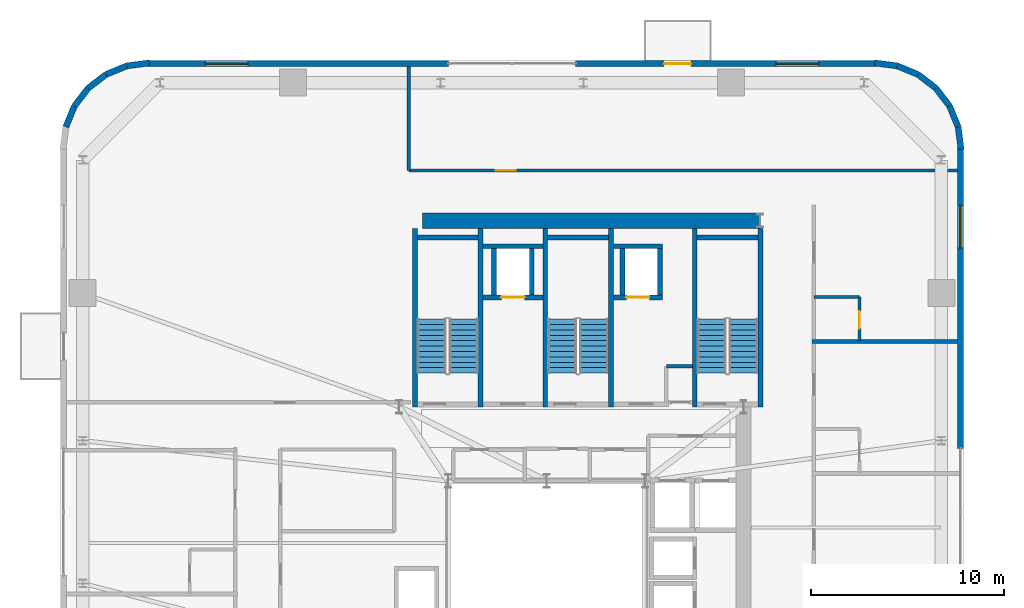
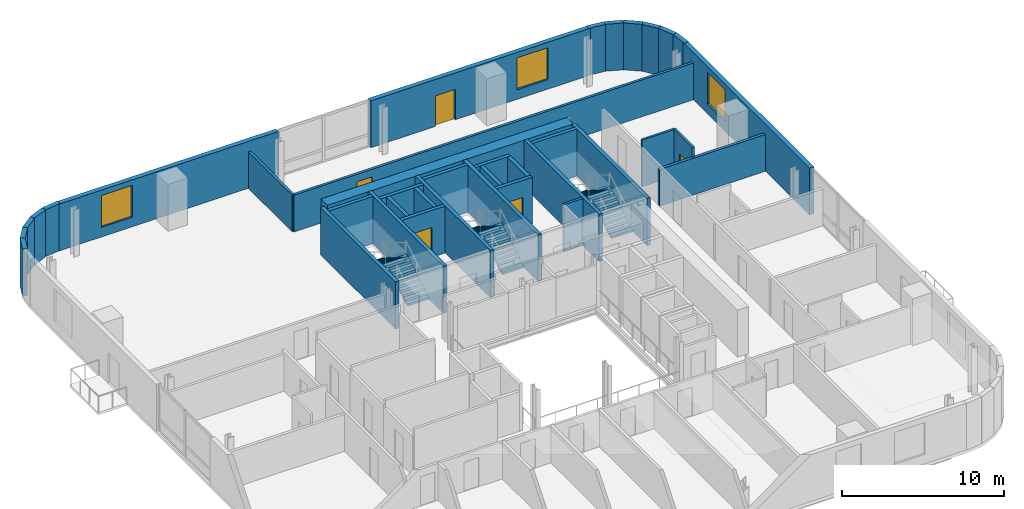
# One storey, part 11 of 16: 38 walls, 6 stair flights, 5 doors, 3 windows, 8 openings, 3 elements without a shape of their own.
"""IFC4 building model written with IfcOpenShell, lengths in metres."""

from ifc_helpers import new_model, si_unit, direction, frame, frame_2d, origin, place, context, subcontext, project, spatial, polyline, rectangle, outline, extrude, source, transform, mapped, material, layer, layer_set, type_object, element, fill, aggregate, save


model = new_model("IFC4")

# Units and contexts
model_context = context("Model", 3, precision=1e-05, world=origin(), true_north=direction((0.0, 1.0)))
body_context = subcontext(model_context, "Body", "Model", "MODEL_VIEW")
ifc_project = project(units=[si_unit("LENGTHUNIT", "METRE"), si_unit("AREAUNIT", "SQUARE_METRE"), si_unit("VOLUMEUNIT", "CUBIC_METRE"), si_unit("PLANEANGLEUNIT", "RADIAN"), si_unit("MASSUNIT", "GRAM", prefix="KILO")], contexts=[model_context])

# Site, building, storey
site_placement = place(None, origin())
site = spatial("IfcSite", under=ifc_project, at=site_placement, CompositionType="ELEMENT")
building_placement = place(site_placement, origin())
building = spatial("IfcBuilding", under=site, at=building_placement, Name="Vardaveli Station Tower", CompositionType="ELEMENT")
storey_placement = place(building_placement, frame((0.0, 0.0, 184.800048828125)))
storey = spatial("IfcBuildingStorey", under=building, at=storey_placement, Name="L47", CompositionType="ELEMENT", Elevation=184.800048828125)

# Wall
ifc_material_1 = material(Name="Concrete C50/60", Category="concrete")
ifc_layer_1 = layer(ifc_material_1, 0.800048828125, Name="Concrete C50/60")
ifc_layer_set_1 = layer_set([ifc_layer_1], Name="Concrete C50/60")
wall_type_1 = type_object("IfcWallType", Name="WAL-CORE-800", PredefinedType="SHEAR", material=ifc_layer_set_1)
shared_shape_1 = source(origin(), body_context, "Body", "SweptSolid", [
    extrude(rectangle(XDim=17.52001953125, YDim=0.800048828125, at=frame_2d((8.760009765625, 0.0))), origin(), (0.0, 0.0, 1.0), 3.530029296875),
])
wall_1_placement = place(storey_placement, frame((29.85009765625, 40.300048828125, 0.0), z_axis=(0.0, 0.0, 1.0), x_axis=(1.0, 0.0, 0.0)))
element("IfcWall", 1, at=wall_1_placement, inside=storey, type_object=wall_type_1, Name="SW-L47-NORTH", PredefinedType="SHEAR", context=body_context, shape_type="MappedRepresentation", body=[
    mapped(shared_shape_1, transform((0.0, 0.0, 0.0), scale=1.0)),
])

# Wall, openings, door, window
ifc_material_2 = material(Name="Precast concrete C45/55", Category="concrete")
ifc_layer_2 = layer(ifc_material_2, 0.320068359375, Name="Precast concrete C45/55")
ifc_layer_set_2 = layer_set([ifc_layer_2], Name="Precast concrete C45/55")
wall_type_2 = type_object("IfcWallType", Name="WAL-EXT-STONE-320", PredefinedType="SOLIDWALL", material=ifc_layer_set_2)
shared_shape_2 = source(origin(), body_context, "Body", "SweptSolid", [
    extrude(rectangle(XDim=15.599853515625, YDim=0.320068359375, at=frame_2d((7.7998046875, 0.0))), origin(), (0.0, 0.0, 1.0), 3.530029296875),
])
wall_2_placement = place(storey_placement, frame((53.39990234375, 48.43994140625, 0.0), z_axis=(0.0, 0.0, 1.0), x_axis=(-1.0, 0.0, 0.0)))
wall_2 = element("IfcWall", 2, at=wall_2_placement, inside=storey, type_object=wall_type_2, Name="EW-L47-N1", PredefinedType="SOLIDWALL", context=body_context, shape_type="MappedRepresentation", body=[
    mapped(shared_shape_2, transform((0.0, 0.0, 0.0), scale=1.0)),
])
shared_shape_3 = source(origin(), body_context, "Body", "SweptSolid", [
    extrude(rectangle(XDim=1.39990234375, YDim=2.300048828125, at=frame_2d((0.699951171875, 1.14990234375))), frame((0.0, 0.169921875, 0.0), z_axis=(0.0, -1.0, 0.0), x_axis=(1.0, 0.0, 0.0)), (0.0, 0.0, 1.0), 0.340087890625),
])
opening_1_placement = place(wall_2_placement, frame((9.6103515625, 0.0, 0.0)))
opening_1 = element("IfcOpeningElement", 3, at=opening_1_placement, cuts=wall_2, Name="Opening D-09", PredefinedType="OPENING", context=body_context, shape_type="MappedRepresentation", body=[
    mapped(shared_shape_3, transform((0.0, 0.0, 0.0), scale=1.0)),
])
shared_shape_4 = source(origin(), body_context, "Body", "SweptSolid", [
    extrude(rectangle(XDim=2.199951171875, YDim=2.39990234375, at=frame_2d((1.10009765625, 1.199951171875))), frame((0.0, 0.169921875, 0.0), z_axis=(0.0, -1.0, 0.0), x_axis=(1.0, 0.0, 0.0)), (0.0, 0.0, 1.0), 0.340087890625),
])
opening_2_placement = place(wall_2_placement, frame((3.0048828125, 0.0, 0.719970703125)))
opening_2 = element("IfcOpeningElement", 4, at=opening_2_placement, cuts=wall_2, Name="Opening W-03", PredefinedType="OPENING", context=body_context, shape_type="MappedRepresentation", body=[
    mapped(shared_shape_4, transform((0.0, 0.0, 0.0), scale=1.0)),
])
ifc_material_3 = material(Name="Thermally broken aluminium glass", Category="aluminium")
door_type_1 = type_object("IfcDoorType", Name="DR-LOG-1400x2300", OperationType="DOUBLE_DOOR_SLIDING", PredefinedType="DOOR", material=ifc_material_3)
shared_shape_5 = source(origin(), body_context, "Body", "SweptSolid", [
    extrude(rectangle(XDim=1.39990234375, YDim=2.300048828125, at=frame_2d((0.699951171875, 1.14990234375))), frame((0.0, 0.02490234375, 0.0), z_axis=(0.0, -1.0, 0.0), x_axis=(1.0, 0.0, 0.0)), (0.0, 0.0, 1.0), 0.050048828125),
])
door_1_placement = place(opening_1_placement, frame((1.39990234375, 0.0, 0.0), z_axis=(0.0, 0.0, 1.0), x_axis=(-1.0, 0.0, 0.0)))
door_1 = element("IfcDoor", 5, at=door_1_placement, inside=storey, type_object=door_type_1, Name="DLG-L47-N", OperationType="DOUBLE_DOOR_SLIDING", OverallHeight=2.300048828125, OverallWidth=1.39990234375, PredefinedType="DOOR", context=body_context, shape_type="MappedRepresentation", body=[
    mapped(shared_shape_5, transform((0.0, 0.0, 0.0), scale=1.0)),
])
fill(opening_1, door_1)
ifc_material_4 = material(Name="Low-E solar-control glass", Category="glass")
window_type = type_object("IfcWindowType", Name="WIN-LOG-2200x2400", PartitioningType="SINGLE_PANEL", PredefinedType="WINDOW", material=ifc_material_4)
shared_shape_6 = source(origin(), body_context, "Body", "SweptSolid", [
    extrude(rectangle(XDim=2.199951171875, YDim=2.39990234375, at=frame_2d((1.10009765625, 1.199951171875))), frame((0.0, 0.030029296875, 0.0), z_axis=(0.0, -1.0, 0.0), x_axis=(1.0, 0.0, 0.0)), (0.0, 0.0, 1.0), 0.06005859375),
])
window_1_placement = place(opening_2_placement, origin())
window_1 = element("IfcWindow", 6, at=window_1_placement, inside=storey, type_object=window_type, Name="WN-L47-N1", OverallHeight=2.39990234375, OverallWidth=2.199951171875, PartitioningType="SINGLE_PANEL", PredefinedType="WINDOW", context=body_context, shape_type="MappedRepresentation", body=[
    mapped(shared_shape_6, transform((0.0, 0.0, 0.0), scale=1.0)),
])
fill(opening_2, window_1)

# Wall, opening, window
wall_3_placement = place(storey_placement, frame((31.199951171875, 48.43994140625, 0.0), z_axis=(0.0, 0.0, 1.0), x_axis=(-1.0, 0.0, 0.0)))
wall_3 = element("IfcWall", 7, at=wall_3_placement, inside=storey, type_object=wall_type_2, Name="EW-L47-N2", PredefinedType="SOLIDWALL", context=body_context, shape_type="MappedRepresentation", body=[
    mapped(shared_shape_2, transform((0.0, 0.0, 0.0), scale=1.0)),
])
opening_3_placement = place(wall_3_placement, frame((10.39501953125, 0.0, 0.719970703125)))
opening_3 = element("IfcOpeningElement", 8, at=opening_3_placement, cuts=wall_3, Name="Opening W-03", PredefinedType="OPENING", context=body_context, shape_type="MappedRepresentation", body=[
    mapped(shared_shape_4, transform((0.0, 0.0, 0.0), scale=1.0)),
])
window_2_placement = place(opening_3_placement, origin())
window_2 = element("IfcWindow", 9, at=window_2_placement, inside=storey, type_object=window_type, Name="WN-L47-N2", OverallHeight=2.39990234375, OverallWidth=2.199951171875, PartitioningType="SINGLE_PANEL", PredefinedType="WINDOW", context=body_context, shape_type="MappedRepresentation", body=[
    mapped(shared_shape_6, transform((0.0, 0.0, 0.0), scale=1.0)),
])
fill(opening_3, window_2)

shared_shape_7 = source(origin(), body_context, "Body", "SweptSolid", [
    extrude(rectangle(XDim=15.60009765625, YDim=0.320068359375, at=frame_2d((7.800048828125, 0.0))), origin(), (0.0, 0.0, 1.0), 3.530029296875),
])
wall_4_placement = place(storey_placement, frame((57.739990234375, 28.5, 0.0), z_axis=(0.0, 0.0, 1.0), x_axis=(0.0, 1.0, 0.0)))
wall_4 = element("IfcWall", 10, at=wall_4_placement, inside=storey, type_object=wall_type_2, Name="EW-L47-E2", PredefinedType="SOLIDWALL", context=body_context, shape_type="MappedRepresentation", body=[
    mapped(shared_shape_7, transform((0.0, 0.0, 0.0), scale=1.0)),
])
opening_4_placement = place(wall_4_placement, frame((10.39501953125, 0.0, 0.719970703125)))
opening_4 = element("IfcOpeningElement", 11, at=opening_4_placement, cuts=wall_4, Name="Opening W-03", PredefinedType="OPENING", context=body_context, shape_type="MappedRepresentation", body=[
    mapped(shared_shape_4, transform((0.0, 0.0, 0.0), scale=1.0)),
])
window_3_placement = place(opening_4_placement, origin())
window_3 = element("IfcWindow", 12, at=window_3_placement, inside=storey, type_object=window_type, Name="WN-L47-E2", OverallHeight=2.39990234375, OverallWidth=2.199951171875, PartitioningType="SINGLE_PANEL", PredefinedType="WINDOW", context=body_context, shape_type="MappedRepresentation", body=[
    mapped(shared_shape_6, transform((0.0, 0.0, 0.0), scale=1.0)),
])
fill(opening_4, window_3)

# Walls
shared_shape_8 = source(origin(), body_context, "Body", "SweptSolid", [
    extrude(rectangle(XDim=1.1689453125, YDim=0.320068359375, at=frame_2d((0.58447265625, 0.0))), origin(), (0.0, 0.0, 1.0), 3.530029296875),
])
for number, where, z_axis, x_axis, name in (
    (13, (57.179931640625, 46.2412109375, 0.0), (0.0, 0.0, 1.0), (-0.608387696831, 0.793639975269, 0.0), "EW-L47-CR3-3"),
    (14, (12.53125, 47.1689453125, 0.0), (0.0, 0.0, 1.0), (-0.608387696831, -0.793639975269, 0.0), "EW-L47-CR4-4"),
):
    element("IfcWall", number, at=place(storey_placement, frame(where, z_axis=z_axis, x_axis=x_axis)), inside=storey, type_object=wall_type_2, Name=name, PredefinedType="SOLIDWALL", context=body_context, shape_type="MappedRepresentation", body=[
        mapped(shared_shape_8, transform((0.0, 0.0, 0.0), scale=1.0)),
    ])
shared_shape_9 = source(origin(), body_context, "Body", "SweptSolid", [
    extrude(rectangle(XDim=1.168701171875, YDim=0.320068359375, at=frame_2d((0.58447265625, 0.0))), origin(), (0.0, 0.0, 1.0), 3.530029296875),
])
for number, where, z_axis, x_axis, name in (
    (15, (56.46875, 47.1689453125, 0.0), (0.0, 0.0, 1.0), (-0.793663520347, 0.608356981114, 0.0), "EW-L47-CR3-4"),
    (16, (13.458740234375, 47.8798828125, 0.0), (0.0, 0.0, 1.0), (-0.793663520347, -0.608356981114, 0.0), "EW-L47-CR4-3"),
):
    element("IfcWall", number, at=place(storey_placement, frame(where, z_axis=z_axis, x_axis=x_axis)), inside=storey, type_object=wall_type_2, Name=name, PredefinedType="SOLIDWALL", context=body_context, shape_type="MappedRepresentation", body=[
        mapped(shared_shape_9, transform((0.0, 0.0, 0.0), scale=1.0)),
    ])
shared_shape_10 = source(origin(), body_context, "Body", "SweptSolid", [
    extrude(rectangle(XDim=1.17041015625, YDim=0.320068359375, at=frame_2d((0.585205078125, 0.0))), origin(), (0.0, 0.0, 1.0), 3.530029296875),
])
for number, where, z_axis, x_axis, name in (
    (17, (57.775634765625, 43.99951171875, 0.0), (0.0, 0.0, 1.0), (-0.128295670475, 0.991735963317, 0.0), "EW-L47-CR3-1"),
    (18, (54.460205078125, 48.325439453125, 0.0), (0.0, 0.0, 1.0), (-0.991735963317, 0.128295670475, 0.0), "EW-L47-CR3-6"),
    (19, (15.700439453125, 48.4755859375, 0.0), (0.0, 0.0, 1.0), (-0.991735963317, -0.128295670475, 0.0), "EW-L47-CR4-1"),
):
    element("IfcWall", number, at=place(storey_placement, frame(where, z_axis=z_axis, x_axis=x_axis)), inside=storey, type_object=wall_type_2, Name=name, PredefinedType="SOLIDWALL", context=body_context, shape_type="MappedRepresentation", body=[
        mapped(shared_shape_10, transform((0.0, 0.0, 0.0), scale=1.0)),
    ])
shared_shape_11 = source(origin(), body_context, "Body", "SweptSolid", [
    extrude(rectangle(XDim=1.169189453125, YDim=0.320068359375, at=frame_2d((0.58447265625, 0.0))), origin(), (0.0, 0.0, 1.0), 3.530029296875),
])
for number, where, z_axis, x_axis, name in (
    (20, (57.62548828125, 45.16015625, 0.0), (0.0, 0.0, 1.0), (-0.381054331552, 0.924552646638, 0.0), "EW-L47-CR3-2"),
    (21, (55.541259765625, 47.8798828125, 0.0), (0.0, 0.0, 1.0), (-0.924552646638, 0.381054331552, 0.0), "EW-L47-CR3-5"),
    (22, (14.539794921875, 48.325439453125, 0.0), (0.0, 0.0, 1.0), (-0.924552646638, -0.381054331552, 0.0), "EW-L47-CR4-2"),
    (23, (11.820068359375, 46.2412109375, 0.0), (0.0, 0.0, 1.0), (-0.381054331552, -0.924552646638, 0.0), "EW-L47-CR4-5"),
):
    element("IfcWall", number, at=place(storey_placement, frame(where, z_axis=z_axis, x_axis=x_axis)), inside=storey, type_object=wall_type_2, Name=name, PredefinedType="SOLIDWALL", context=body_context, shape_type="MappedRepresentation", body=[
        mapped(shared_shape_11, transform((0.0, 0.0, 0.0), scale=1.0)),
    ])
ifc_material_5 = material(Name="Concrete C40/50", Category="concrete")
ifc_layer_3 = layer(ifc_material_5, 0.25, Name="Concrete C40/50")
ifc_layer_set_3 = layer_set([ifc_layer_3], Name="Concrete C40/50")
wall_type_3 = type_object("IfcWallType", Name="WAL-SHAFT-250", PredefinedType="SOLIDWALL", material=ifc_layer_set_3)
shared_shape_12 = source(origin(), body_context, "Body", "SweptSolid", [
    extrude(rectangle(XDim=9.25, YDim=0.25, at=frame_2d((4.625, 0.0))), origin(), (0.0, 0.0, 1.0), 3.550048828125),
])
for number, where, z_axis, x_axis, name in (
    (24, (29.47509765625, 30.64990234375, 0.0), (0.0, 0.0, 1.0), (0.0, 1.0, 0.0), "W-L47-ST-1W"),
    (25, (32.875, 30.64990234375, 0.0), (0.0, 0.0, 1.0), (0.0, 1.0, 0.0), "W-L47-ST-1E"),
    (26, (36.22509765625, 30.64990234375, 0.0), (0.0, 0.0, 1.0), (0.0, 1.0, 0.0), "W-L47-ST-2W"),
    (27, (39.625, 30.64990234375, 0.0), (0.0, 0.0, 1.0), (0.0, 1.0, 0.0), "W-L47-ST-2E"),
    (28, (43.97509765625, 30.64990234375, 0.0), (0.0, 0.0, 1.0), (0.0, 1.0, 0.0), "W-L47-ST-3W"),
    (29, (47.375, 30.64990234375, 0.0), (0.0, 0.0, 1.0), (0.0, 1.0, 0.0), "W-L47-ST-3E"),
):
    element("IfcWall", number, at=place(storey_placement, frame(where, z_axis=z_axis, x_axis=x_axis)), inside=storey, type_object=wall_type_3, Name=name, PredefinedType="SOLIDWALL", context=body_context, shape_type="MappedRepresentation", body=[
        mapped(shared_shape_12, transform((0.0, 0.0, 0.0), scale=1.0)),
    ])
shared_shape_13 = source(origin(), body_context, "Body", "SweptSolid", [
    extrude(rectangle(XDim=3.14990234375, YDim=0.25, at=frame_2d((1.574951171875, 0.0))), origin(), (0.0, 0.0, 1.0), 3.550048828125),
])
for number, where, z_axis, x_axis, name in (
    (30, (29.60009765625, 39.425048828125, 0.0), (0.0, 0.0, 1.0), (1.0, 0.0, 0.0), "W-L47-ST-1N"),
    (31, (36.35009765625, 39.425048828125, 0.0), (0.0, 0.0, 1.0), (1.0, 0.0, 0.0), "W-L47-ST-2N"),
    (32, (44.10009765625, 39.425048828125, 0.0), (0.0, 0.0, 1.0), (1.0, 0.0, 0.0), "W-L47-ST-3N"),
):
    element("IfcWall", number, at=place(storey_placement, frame(where, z_axis=z_axis, x_axis=x_axis)), inside=storey, type_object=wall_type_3, Name=name, PredefinedType="SOLIDWALL", context=body_context, shape_type="MappedRepresentation", body=[
        mapped(shared_shape_13, transform((0.0, 0.0, 0.0), scale=1.0)),
    ])

# Wall, opening, door
shared_shape_14 = source(origin(), body_context, "Body", "SweptSolid", [
    extrude(rectangle(XDim=3.10009765625, YDim=0.25, at=frame_2d((1.550048828125, 0.0))), origin(), (0.0, 0.0, 1.0), 3.530029296875),
])
wall_5_placement = place(storey_placement, frame((33.0, 36.324951171875, 0.0), z_axis=(0.0, 0.0, 1.0), x_axis=(1.0, 0.0, 0.0)))
wall_5 = element("IfcWall", 33, at=wall_5_placement, inside=storey, type_object=wall_type_3, Name="SHW-FFL-01-L47-S", PredefinedType="SOLIDWALL", context=body_context, shape_type="MappedRepresentation", body=[
    mapped(shared_shape_14, transform((0.0, 0.0, 0.0), scale=1.0)),
])
shared_shape_15 = source(origin(), body_context, "Body", "SweptSolid", [
    extrude(rectangle(XDim=1.199951171875, YDim=2.25, at=frame_2d((0.60009765625, 1.125))), frame((0.0, 0.135009765625, 0.0), z_axis=(0.0, -1.0, 0.0), x_axis=(1.0, 0.0, 0.0)), (0.0, 0.0, 1.0), 0.27001953125),
])
opening_5_placement = place(wall_5_placement, frame((0.949951171875, 0.0, 0.0)))
opening_5 = element("IfcOpeningElement", 34, at=opening_5_placement, cuts=wall_5, Name="Opening LD-02", PredefinedType="OPENING", context=body_context, shape_type="MappedRepresentation", body=[
    mapped(shared_shape_15, transform((0.0, 0.0, 0.0), scale=1.0)),
])
ifc_material_6 = material(Name="Brushed stainless steel", Category="steel")
door_type_2 = type_object("IfcDoorType", Name="DR-LD-1200x2250", OperationType="DOUBLE_DOOR_SLIDING", PredefinedType="DOOR", material=ifc_material_6)
shared_shape_16 = source(origin(), body_context, "Body", "SweptSolid", [
    extrude(rectangle(XDim=1.199951171875, YDim=2.25, at=frame_2d((0.60009765625, 1.125))), frame((0.0, 0.02490234375, 0.0), z_axis=(0.0, -1.0, 0.0), x_axis=(1.0, 0.0, 0.0)), (0.0, 0.0, 1.0), 0.050048828125),
])
door_2_placement = place(opening_5_placement, origin())
door_2 = element("IfcDoor", 35, at=door_2_placement, inside=storey, type_object=door_type_2, Name="LD-FFL-01-L47", OperationType="DOUBLE_DOOR_SLIDING", OverallHeight=2.25, OverallWidth=1.199951171875, PredefinedType="DOOR", context=body_context, shape_type="MappedRepresentation", body=[
    mapped(shared_shape_16, transform((0.0, 0.0, 0.0), scale=1.0)),
])
fill(opening_5, door_2)

# Walls
wall_6_placement = place(storey_placement, frame((33.0, 38.97509765625, 0.0), z_axis=(0.0, 0.0, 1.0), x_axis=(1.0, 0.0, 0.0)))
element("IfcWall", 36, at=wall_6_placement, inside=storey, type_object=wall_type_3, Name="SHW-FFL-01-L47-N", PredefinedType="SOLIDWALL", context=body_context, shape_type="MappedRepresentation", body=[
    mapped(shared_shape_14, transform((0.0, 0.0, 0.0), scale=1.0)),
])
shared_shape_17 = source(origin(), body_context, "Body", "SweptSolid", [
    extrude(rectangle(XDim=2.400146484375, YDim=0.25, at=frame_2d((1.2001953125, 0.0))), origin(), (0.0, 0.0, 1.0), 3.530029296875),
])
for number, where, z_axis, x_axis, name in (
    (37, (33.574951171875, 36.449951171875, 0.0), (0.0, 0.0, 1.0), (0.0, 1.0, 0.0), "SHW-FFL-01-L47-W"),
    (38, (35.52490234375, 36.449951171875, 0.0), (0.0, 0.0, 1.0), (0.0, 1.0, 0.0), "SHW-FFL-01-L47-E"),
    (39, (40.22509765625, 36.449951171875, 0.0), (0.0, 0.0, 1.0), (0.0, 1.0, 0.0), "SHW-FFL-02-L47-W"),
    (40, (42.175048828125, 36.449951171875, 0.0), (0.0, 0.0, 1.0), (0.0, 1.0, 0.0), "SHW-FFL-02-L47-E"),
):
    element("IfcWall", number, at=place(storey_placement, frame(where, z_axis=z_axis, x_axis=x_axis)), inside=storey, type_object=wall_type_3, Name=name, PredefinedType="SOLIDWALL", context=body_context, shape_type="MappedRepresentation", body=[
        mapped(shared_shape_17, transform((0.0, 0.0, 0.0), scale=1.0)),
    ])

# Wall, opening, door
shared_shape_18 = source(origin(), body_context, "Body", "SweptSolid", [
    extrude(rectangle(XDim=2.550048828125, YDim=0.25, at=frame_2d((1.27490234375, 0.0))), origin(), (0.0, 0.0, 1.0), 3.530029296875),
])
wall_7_placement = place(storey_placement, frame((39.75, 36.324951171875, 0.0), z_axis=(0.0, 0.0, 1.0), x_axis=(1.0, 0.0, 0.0)))
wall_7 = element("IfcWall", 41, at=wall_7_placement, inside=storey, type_object=wall_type_3, Name="SHW-FFL-02-L47-S", PredefinedType="SOLIDWALL", context=body_context, shape_type="MappedRepresentation", body=[
    mapped(shared_shape_18, transform((0.0, 0.0, 0.0), scale=1.0)),
])
opening_6_placement = place(wall_7_placement, frame((0.675048828125, 0.0, 0.0)))
opening_6 = element("IfcOpeningElement", 42, at=opening_6_placement, cuts=wall_7, Name="Opening LD-02", PredefinedType="OPENING", context=body_context, shape_type="MappedRepresentation", body=[
    mapped(shared_shape_15, transform((0.0, 0.0, 0.0), scale=1.0)),
])
door_3_placement = place(opening_6_placement, origin())
door_3 = element("IfcDoor", 43, at=door_3_placement, inside=storey, type_object=door_type_2, Name="LD-FFL-02-L47", OperationType="DOUBLE_DOOR_SLIDING", OverallHeight=2.25, OverallWidth=1.199951171875, PredefinedType="DOOR", context=body_context, shape_type="MappedRepresentation", body=[
    mapped(shared_shape_16, transform((0.0, 0.0, 0.0), scale=1.0)),
])
fill(opening_6, door_3)

# Wall
wall_8_placement = place(storey_placement, frame((39.75, 38.97509765625, 0.0), z_axis=(0.0, 0.0, 1.0), x_axis=(1.0, 0.0, 0.0)))
element("IfcWall", 44, at=wall_8_placement, inside=storey, type_object=wall_type_3, Name="SHW-FFL-02-L47-N", PredefinedType="SOLIDWALL", context=body_context, shape_type="MappedRepresentation", body=[
    mapped(shared_shape_18, transform((0.0, 0.0, 0.0), scale=1.0)),
])

# Wall, opening, door
ifc_material_7 = material(Name="Fire-rated gypsum stud partition")
ifc_layer_4 = layer(ifc_material_7, 0.179931640625, Name="Fire-rated gypsum stud partition")
ifc_layer_set_4 = layer_set([ifc_layer_4], Name="Fire-rated gypsum stud partition")
wall_type_4 = type_object("IfcWallType", Name="WAL-CORR-180", PredefinedType="PARTITIONING", material=ifc_layer_set_4)
shared_shape_19 = source(origin(), body_context, "Body", "SweptSolid", [
    extrude(rectangle(XDim=28.427978515625, YDim=0.179931640625, at=frame_2d((14.2138671875, 0.0))), origin(), (0.0, 0.0, 1.0), 2.77197265625),
])
wall_9_placement = place(storey_placement, frame((29.14990234375, 42.89990234375, 0.0), z_axis=(0.0, 0.0, 1.0), x_axis=(1.0, 0.0, 0.0)))
wall_9 = element("IfcWall", 45, at=wall_9_placement, inside=storey, type_object=wall_type_4, Name="W-L47-NPS", PredefinedType="PARTITIONING", context=body_context, shape_type="MappedRepresentation", body=[
    mapped(shared_shape_19, transform((0.0, 0.0, 0.0), scale=1.0)),
])
shared_shape_20 = source(origin(), body_context, "Body", "SweptSolid", [
    extrude(rectangle(XDim=1.050048828125, YDim=2.199951171875, at=frame_2d((0.52490234375, 1.10009765625))), frame((0.0, 0.10009765625, 0.0), z_axis=(0.0, -1.0, 0.0), x_axis=(1.0, 0.0, 0.0)), (0.0, 0.0, 1.0), 0.199951171875),
])
opening_7_placement = place(wall_9_placement, frame((4.5, 0.0, 0.0)))
opening_7 = element("IfcOpeningElement", 46, at=opening_7_placement, cuts=wall_9, Name="Opening D-05", PredefinedType="OPENING", context=body_context, shape_type="MappedRepresentation", body=[
    mapped(shared_shape_20, transform((0.0, 0.0, 0.0), scale=1.0)),
])
ifc_material_8 = material(Name="Walnut veneer acoustic fire door")
door_type_3 = type_object("IfcDoorType", Name="DR-SUITE-1050x2200", OperationType="NOTDEFINED", PredefinedType="DOOR", material=ifc_material_8)
shared_shape_21 = source(origin(), body_context, "Body", "SweptSolid", [
    extrude(rectangle(XDim=1.050048828125, YDim=2.199951171875, at=frame_2d((0.52490234375, 1.10009765625))), frame((0.0, 0.02490234375, 0.0), z_axis=(0.0, -1.0, 0.0), x_axis=(1.0, 0.0, 0.0)), (0.0, 0.0, 1.0), 0.050048828125),
])
door_4_placement = place(opening_7_placement, origin())
door_4 = element("IfcDoor", 47, at=door_4_placement, inside=storey, type_object=door_type_3, Name="D-L47-NP1", OperationType="SINGLE_SWING_RIGHT", OverallHeight=2.199951171875, OverallWidth=1.050048828125, PredefinedType="DOOR", context=body_context, shape_type="MappedRepresentation", body=[
    mapped(shared_shape_21, transform((0.0, 0.0, 0.0), scale=1.0)),
])
fill(opening_7, door_4)

ifc_material_9 = material(Name="Moisture-resistant stud partition")
ifc_layer_5 = layer(ifc_material_9, 0.14990234375, Name="Moisture-resistant stud partition")
ifc_layer_set_5 = layer_set([ifc_layer_5], Name="Moisture-resistant stud partition")
wall_type_5 = type_object("IfcWallType", Name="WAL-WET-150", PredefinedType="PARTITIONING", material=ifc_layer_set_5)
shared_shape_22 = source(origin(), body_context, "Body", "SweptSolid", [
    extrude(rectangle(XDim=2.289794921875, YDim=0.14990234375, at=frame_2d((1.14501953125, 0.0))), origin(), (0.0, 0.0, 1.0), 3.530029296875),
])
wall_10_placement = place(storey_placement, frame((52.510009765625, 34.05810546875, 0.0), z_axis=(0.0, 0.0, 1.0), x_axis=(0.0, 1.0, 0.0)))
wall_10 = element("IfcWall", 48, at=wall_10_placement, inside=storey, type_object=wall_type_5, Name="W-L47-BE4-E", PredefinedType="PARTITIONING", context=body_context, shape_type="MappedRepresentation", body=[
    mapped(shared_shape_22, transform((0.0, 0.0, 0.0), scale=1.0)),
])
shared_shape_23 = source(origin(), body_context, "Body", "SweptSolid", [
    extrude(rectangle(XDim=0.89990234375, YDim=2.10009765625, at=frame_2d((0.449951171875, 1.050048828125))), frame((0.0, 0.0849609375, 0.0), z_axis=(0.0, -1.0, 0.0), x_axis=(1.0, 0.0, 0.0)), (0.0, 0.0, 1.0), 0.169921875),
])
opening_8_placement = place(wall_10_placement, frame((0.64990234375, 0.0, 0.0)))
opening_8 = element("IfcOpeningElement", 49, at=opening_8_placement, cuts=wall_10, Name="Opening D-08", PredefinedType="OPENING", context=body_context, shape_type="MappedRepresentation", body=[
    mapped(shared_shape_23, transform((0.0, 0.0, 0.0), scale=1.0)),
])
ifc_material_10 = material(Name="Moisture-resistant oak door")
door_type_4 = type_object("IfcDoorType", Name="DR-BATH-900x2100", OperationType="NOTDEFINED", PredefinedType="DOOR", material=ifc_material_10)
shared_shape_24 = source(origin(), body_context, "Body", "SweptSolid", [
    extrude(rectangle(XDim=0.89990234375, YDim=2.10009765625, at=frame_2d((0.449951171875, 1.050048828125))), frame((0.0, 0.02490234375, 0.0), z_axis=(0.0, -1.0, 0.0), x_axis=(1.0, 0.0, 0.0)), (0.0, 0.0, 1.0), 0.050048828125),
])
door_5_placement = place(opening_8_placement, origin())
door_5 = element("IfcDoor", 50, at=door_5_placement, inside=storey, type_object=door_type_4, Name="D-L47-BE4", OperationType="SINGLE_SWING_LEFT", OverallHeight=2.10009765625, OverallWidth=0.89990234375, PredefinedType="DOOR", context=body_context, shape_type="MappedRepresentation", body=[
    mapped(shared_shape_24, transform((0.0, 0.0, 0.0), scale=1.0)),
])
fill(opening_8, door_5)

# Walls
ifc_material_11 = material(Name="Acoustic twin-stud gypsum partition")
ifc_layer_6 = layer(ifc_material_11, 0.199951171875, Name="Acoustic twin-stud gypsum partition")
ifc_layer_set_6 = layer_set([ifc_layer_6], Name="Acoustic twin-stud gypsum partition")
wall_type_6 = type_object("IfcWallType", Name="WAL-PARTY-200", PredefinedType="PARTITIONING", material=ifc_layer_set_6)
shared_shape_25 = source(origin(), body_context, "Body", "SweptSolid", [
    extrude(rectangle(XDim=7.52783203125, YDim=0.199951171875, at=frame_2d((3.763916015625, 0.0))), origin(), (0.0, 0.0, 1.0), 2.77197265625),
])
wall_11_placement = place(storey_placement, frame((50.050048828125, 34.0380859375, 0.0), z_axis=(0.0, 0.0, 1.0), x_axis=(1.0, 0.0, 0.0)))
element("IfcWall", 51, at=wall_11_placement, inside=storey, type_object=wall_type_6, Name="W-L47-PE3", PredefinedType="PARTITIONING", context=body_context, shape_type="MappedRepresentation", body=[
    mapped(shared_shape_25, transform((0.0, 0.0, 0.0), scale=1.0)),
])
shared_shape_26 = source(origin(), body_context, "Body", "SweptSolid", [
    extrude(rectangle(XDim=5.378173828125, YDim=0.179931640625, at=frame_2d((2.68896484375, 0.0))), origin(), (0.0, 0.0, 1.0), 2.77197265625),
])
wall_12_placement = place(storey_placement, frame((29.14990234375, 42.89990234375, 0.0), z_axis=(0.0, 0.0, 1.0), x_axis=(0.0, 1.0, 0.0)))
element("IfcWall", 52, at=wall_12_placement, inside=storey, type_object=wall_type_4, Name="W-L47-NPW", PredefinedType="PARTITIONING", context=body_context, shape_type="MappedRepresentation", body=[
    mapped(shared_shape_26, transform((0.0, 0.0, 0.0), scale=1.0)),
])
shared_shape_27 = source(origin(), body_context, "Body", "SweptSolid", [
    extrude(rectangle(XDim=2.360107421875, YDim=0.14990234375, at=frame_2d((1.18017578125, 0.0))), origin(), (0.0, 0.0, 1.0), 3.530029296875),
])
wall_13_placement = place(storey_placement, frame((50.14990234375, 36.347900390625, 0.0), z_axis=(0.0, 0.0, 1.0), x_axis=(1.0, 0.0, 0.0)))
element("IfcWall", 53, at=wall_13_placement, inside=storey, type_object=wall_type_5, Name="W-L47-BE4-N", PredefinedType="PARTITIONING", context=body_context, shape_type="MappedRepresentation", body=[
    mapped(shared_shape_27, transform((0.0, 0.0, 0.0), scale=1.0)),
])
shared_shape_28 = source(origin(), body_context, "Body", "SweptSolid", [
    extrude(rectangle(XDim=1.347900390625, YDim=0.179931640625, at=frame_2d((0.673828125, 0.0))), origin(), (0.0, 0.0, 1.0), 3.530029296875),
])
wall_14_placement = place(storey_placement, frame((42.5, 32.75, 0.0), z_axis=(0.0, 0.0, 1.0), x_axis=(1.0, 0.0, 0.0)))
element("IfcWall", 54, at=wall_14_placement, inside=storey, type_object=wall_type_4, Name="W-L47-CBS2A-N", PredefinedType="PARTITIONING", context=body_context, shape_type="MappedRepresentation", body=[
    mapped(shared_shape_28, transform((0.0, 0.0, 0.0), scale=1.0)),
])

# Stair, stair flights
stair_type = type_object("IfcStairType", Name="STR-CORE-1500", PredefinedType="HALF_TURN_STAIR", material=ifc_material_5)
stair_1_placement = place(storey_placement, origin())
stair_1 = element("IfcStair", 55, at=stair_1_placement, inside=storey, type_object=stair_type, Name="L47 ST-1", PredefinedType="HALF_TURN_STAIR")
stair_flight_type = type_object("IfcStairFlightType", Name="SFL-CORE-1500", PredefinedType="STRAIGHT", material=ifc_material_5)
shared_shape_29 = source(origin(), body_context, "Body", "SweptSolid", [
    extrude(outline(polyline([(0.0, 0.0), (0.0, 0.17041015625), (0.280029296875, 0.17041015625), (0.280029296875, 0.3408203125), (0.56005859375, 0.3408203125), (0.56005859375, 0.511474609375), (0.840087890625, 0.511474609375), (0.840087890625, 0.681884765625), (1.1201171875, 0.681884765625), (1.1201171875, 0.852294921875), (1.39990234375, 0.852294921875), (1.39990234375, 1.022705078125), (1.679931640625, 1.022705078125), (1.679931640625, 1.193115234375), (1.9599609375, 1.193115234375), (1.9599609375, 1.363525390625), (2.239990234375, 1.363525390625), (2.239990234375, 1.5341796875), (2.52001953125, 1.5341796875), (2.52001953125, 1.70458984375), (2.800048828125, 1.70458984375), (2.800048828125, 1.875), (2.800048828125, 1.529052734375), (0.288330078125, 0.0), (0.0, 0.0)])), frame((0.0, 0.75, 0.0), z_axis=(0.0, -1.0, 0.0), x_axis=(1.0, 0.0, 0.0)), (0.0, 0.0, 1.0), 1.5),
])
stair_flight_1_placement = place(storey_placement, frame((32.0, 32.39990234375, 0.0), z_axis=(0.0, 0.0, 1.0), x_axis=(0.0, 1.0, 0.0)))
stair_flight_1 = element("IfcStairFlight", 56, at=stair_flight_1_placement, type_object=stair_flight_type, Name="ST-1 flight 1", NumberOfRisers=11, NumberOfTreads=10, PredefinedType="STRAIGHT", RiserHeight=0.170454545, TreadLength=0.28, context=body_context, shape_type="MappedRepresentation", body=[
    mapped(shared_shape_29, transform((0.0, 0.0, 0.0), scale=1.0)),
])
stair_flight_2_placement = place(storey_placement, frame((30.35009765625, 35.199951171875, 1.875), z_axis=(0.0, 0.0, 1.0), x_axis=(0.0, -1.0, 0.0)))
stair_flight_2 = element("IfcStairFlight", 57, at=stair_flight_2_placement, type_object=stair_flight_type, Name="ST-1 flight 2", NumberOfRisers=11, NumberOfTreads=10, PredefinedType="STRAIGHT", RiserHeight=0.170454545, TreadLength=0.28, context=body_context, shape_type="MappedRepresentation", body=[
    mapped(shared_shape_29, transform((0.0, 0.0, 0.0), scale=1.0)),
])
aggregate(stair_1, [stair_flight_1, stair_flight_2])

stair_2_placement = place(storey_placement, origin())
stair_2 = element("IfcStair", 58, at=stair_2_placement, inside=storey, type_object=stair_type, Name="L47 ST-2", PredefinedType="HALF_TURN_STAIR")
stair_flight_3_placement = place(storey_placement, frame((38.75, 32.39990234375, 0.0), z_axis=(0.0, 0.0, 1.0), x_axis=(0.0, 1.0, 0.0)))
stair_flight_3 = element("IfcStairFlight", 59, at=stair_flight_3_placement, type_object=stair_flight_type, Name="ST-2 flight 1", NumberOfRisers=11, NumberOfTreads=10, PredefinedType="STRAIGHT", RiserHeight=0.170454545, TreadLength=0.28, context=body_context, shape_type="MappedRepresentation", body=[
    mapped(shared_shape_29, transform((0.0, 0.0, 0.0), scale=1.0)),
])
stair_flight_4_placement = place(storey_placement, frame((37.10009765625, 35.199951171875, 1.875), z_axis=(0.0, 0.0, 1.0), x_axis=(0.0, -1.0, 0.0)))
stair_flight_4 = element("IfcStairFlight", 60, at=stair_flight_4_placement, type_object=stair_flight_type, Name="ST-2 flight 2", NumberOfRisers=11, NumberOfTreads=10, PredefinedType="STRAIGHT", RiserHeight=0.170454545, TreadLength=0.28, context=body_context, shape_type="MappedRepresentation", body=[
    mapped(shared_shape_29, transform((0.0, 0.0, 0.0), scale=1.0)),
])
aggregate(stair_2, [stair_flight_3, stair_flight_4])

stair_3_placement = place(storey_placement, origin())
stair_3 = element("IfcStair", 61, at=stair_3_placement, inside=storey, type_object=stair_type, Name="L47 ST-3", PredefinedType="HALF_TURN_STAIR")
stair_flight_5_placement = place(storey_placement, frame((46.5, 32.39990234375, 0.0), z_axis=(0.0, 0.0, 1.0), x_axis=(0.0, 1.0, 0.0)))
stair_flight_5 = element("IfcStairFlight", 62, at=stair_flight_5_placement, type_object=stair_flight_type, Name="ST-3 flight 1", NumberOfRisers=11, NumberOfTreads=10, PredefinedType="STRAIGHT", RiserHeight=0.170454545, TreadLength=0.28, context=body_context, shape_type="MappedRepresentation", body=[
    mapped(shared_shape_29, transform((0.0, 0.0, 0.0), scale=1.0)),
])
stair_flight_6_placement = place(storey_placement, frame((44.85009765625, 35.199951171875, 1.875), z_axis=(0.0, 0.0, 1.0), x_axis=(0.0, -1.0, 0.0)))
stair_flight_6 = element("IfcStairFlight", 63, at=stair_flight_6_placement, type_object=stair_flight_type, Name="ST-3 flight 2", NumberOfRisers=11, NumberOfTreads=10, PredefinedType="STRAIGHT", RiserHeight=0.170454545, TreadLength=0.28, context=body_context, shape_type="MappedRepresentation", body=[
    mapped(shared_shape_29, transform((0.0, 0.0, 0.0), scale=1.0)),
])
aggregate(stair_3, [stair_flight_5, stair_flight_6])

save(model, "model.ifc")
